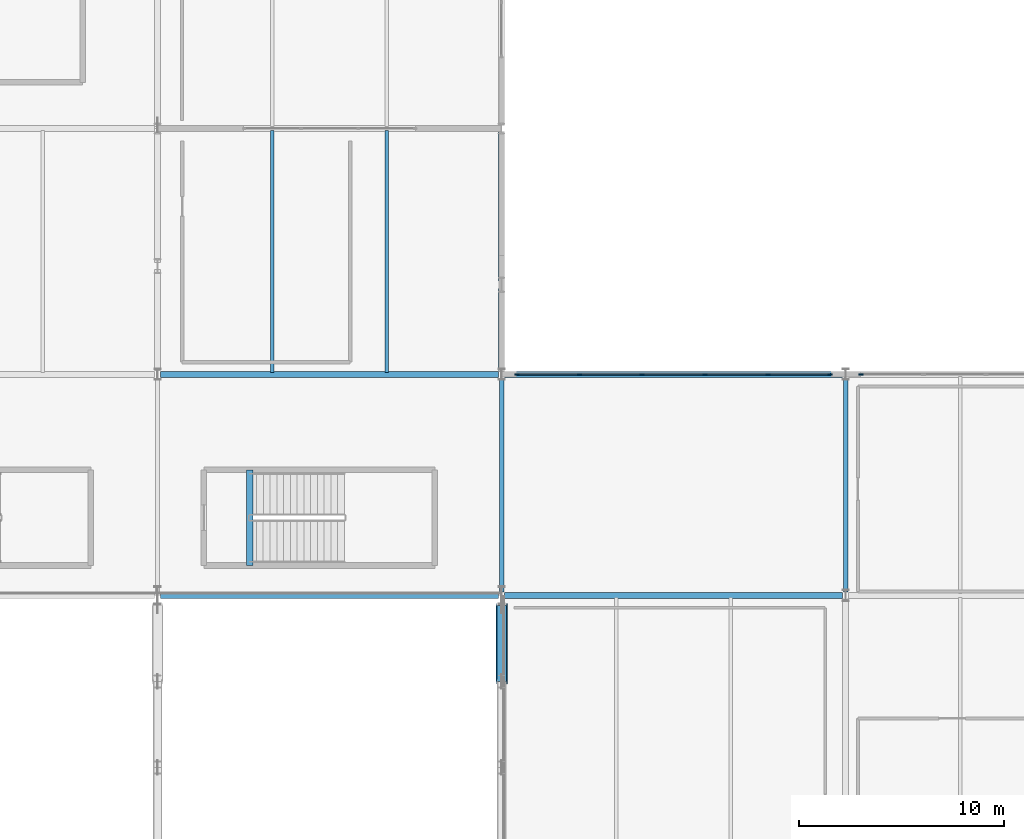
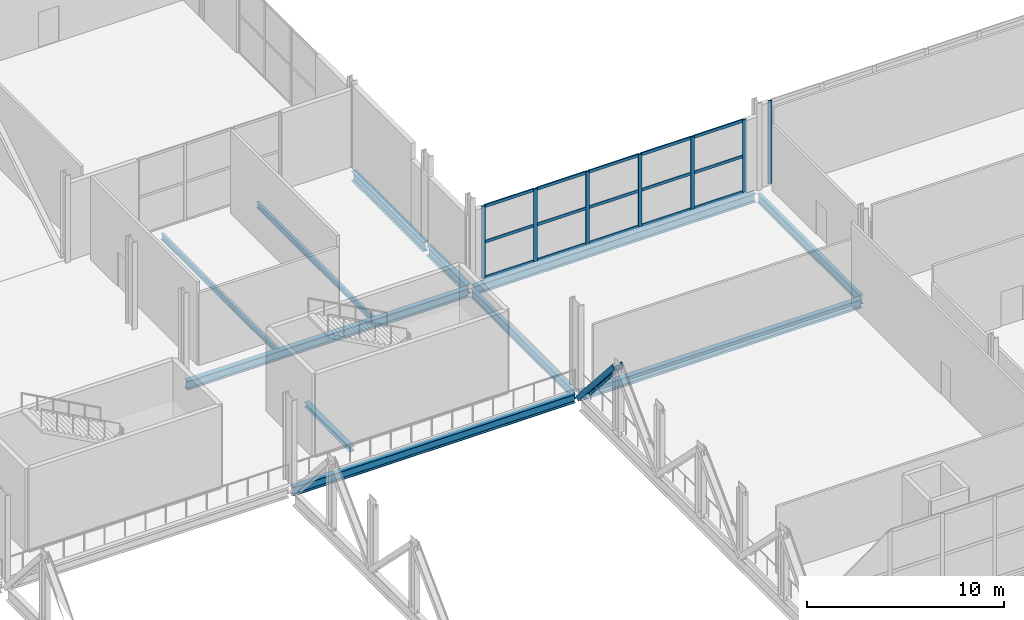
# One storey, part 45 of 84: 23 members, 11 beams, 2 elements without a shape of their own.
"""IFC4 building model written with IfcOpenShell, lengths in metres."""

from ifc_helpers import new_model, si_unit, direction, frame, origin, origin_2d, place, context, subcontext, project, spatial, rectangle, i_section, extrude, material, material_profile, profile_set, type_object, element, aggregate, save


model = new_model("IFC4")

# Units and contexts
model_context = context("Model", 3, precision=1e-05, world=origin(), true_north=direction((0.0, 1.0)))
body_context = subcontext(model_context, "Body", "Model", "MODEL_VIEW")
ifc_project = project(units=[si_unit("LENGTHUNIT", "METRE"), si_unit("AREAUNIT", "SQUARE_METRE"), si_unit("VOLUMEUNIT", "CUBIC_METRE"), si_unit("PLANEANGLEUNIT", "RADIAN"), si_unit("MASSUNIT", "GRAM", prefix="KILO")], contexts=[model_context])

# Site, building, storey
site_placement = place(None, origin())
site = spatial("IfcSite", under=ifc_project, at=site_placement, CompositionType="ELEMENT")
building_placement = place(site_placement, origin())
building = spatial("IfcBuilding", under=site, at=building_placement, Name="Kimbaza Rail Terminus", CompositionType="ELEMENT")
storey_placement = place(building_placement, frame((0.0, 0.0, 5.39990234375)))
storey = spatial("IfcBuildingStorey", under=building, at=storey_placement, Name="L01", CompositionType="ELEMENT", Elevation=5.39990234375)

# Curtain wall, members
ifc_material_1 = material(Name="Anodised aluminium framing and solar low-E glazing", Category="aluminium")
curtain_wall_type = type_object("IfcCurtainWallType", Name="ARC-CW-TH1", PredefinedType="USERDEFINED", material=ifc_material_1)
curtain_wall_1_placement = place(storey_placement, origin())
curtain_wall_1 = element("IfcCurtainWall", 1, at=curtain_wall_1_placement, inside=storey, type_object=curtain_wall_type, Name="Ticket Hall Wing E Curtain Wall L01.1", ObjectType="UNITISED CURTAIN WALL", PredefinedType="USERDEFINED")
ifc_material_2 = material(Name="Anodised architectural aluminium", Category="aluminium")
ifc_material_profile_1 = material_profile(ifc_material_2, rectangle(XDim=0.074951171875, YDim=0.219970703125, at=origin_2d()), Name="MULLION 75x220")
ifc_profile_set_1 = profile_set([ifc_material_profile_1], Name="Anodised architectural aluminium")
member_type_1 = type_object("IfcMemberType", Name="ARC-CWM-01", PredefinedType="MULLION", material=ifc_profile_set_1)
member_1_placement = place(storey_placement, frame((156.757568359375, 91.0, 0.0), z_axis=(0.0, 0.0, 1.0), x_axis=(0.0, 1.0, 0.0)))
member_1 = element("IfcMember", 2, at=member_1_placement, type_object=member_type_1, Name="CW-01 mullion 1", PredefinedType="MULLION", context=body_context, shape_type="SweptSolid", body=[
    extrude(rectangle(XDim=0.074951171875, YDim=0.219970703125, at=origin_2d()), origin(), (0.0, 0.0, 1.0), 4.485107421875),
])
member_2_placement = place(storey_placement, frame((159.7919921875, 91.0, 0.0), z_axis=(0.0, 0.0, 1.0), x_axis=(0.0, 1.0, 0.0)))
member_2 = element("IfcMember", 3, at=member_2_placement, type_object=member_type_1, Name="CW-01 mullion 2", PredefinedType="MULLION", context=body_context, shape_type="SweptSolid", body=[
    extrude(rectangle(XDim=0.074951171875, YDim=0.219970703125, at=origin_2d()), origin(), (0.0, 0.0, 1.0), 4.485107421875),
])
member_3_placement = place(storey_placement, frame((162.864013671875, 91.0, 0.0), z_axis=(0.0, 0.0, 1.0), x_axis=(0.0, 1.0, 0.0)))
member_3 = element("IfcMember", 4, at=member_3_placement, type_object=member_type_1, Name="CW-01 mullion 3", PredefinedType="MULLION", context=body_context, shape_type="SweptSolid", body=[
    extrude(rectangle(XDim=0.074951171875, YDim=0.219970703125, at=origin_2d()), origin(), (0.0, 0.0, 1.0), 4.485107421875),
])
member_4_placement = place(storey_placement, frame((165.93603515625, 91.0, 0.0), z_axis=(0.0, 0.0, 1.0), x_axis=(0.0, 1.0, 0.0)))
member_4 = element("IfcMember", 5, at=member_4_placement, type_object=member_type_1, Name="CW-01 mullion 4", PredefinedType="MULLION", context=body_context, shape_type="SweptSolid", body=[
    extrude(rectangle(XDim=0.074951171875, YDim=0.219970703125, at=origin_2d()), origin(), (0.0, 0.0, 1.0), 4.485107421875),
])
member_5_placement = place(storey_placement, frame((169.008056640625, 91.0, 0.0), z_axis=(0.0, 0.0, 1.0), x_axis=(0.0, 1.0, 0.0)))
member_5 = element("IfcMember", 6, at=member_5_placement, type_object=member_type_1, Name="CW-01 mullion 5", PredefinedType="MULLION", context=body_context, shape_type="SweptSolid", body=[
    extrude(rectangle(XDim=0.074951171875, YDim=0.219970703125, at=origin_2d()), origin(), (0.0, 0.0, 1.0), 4.485107421875),
])
member_6_placement = place(storey_placement, frame((172.04248046875, 91.0, 0.0), z_axis=(0.0, 0.0, 1.0), x_axis=(0.0, 1.0, 0.0)))
member_6 = element("IfcMember", 7, at=member_6_placement, type_object=member_type_1, Name="CW-01 mullion 6", PredefinedType="MULLION", context=body_context, shape_type="SweptSolid", body=[
    extrude(rectangle(XDim=0.074951171875, YDim=0.219970703125, at=origin_2d()), origin(), (0.0, 0.0, 1.0), 4.485107421875),
])

# Curtain wall, member
curtain_wall_2_placement = place(storey_placement, origin())
curtain_wall_2 = element("IfcCurtainWall", 8, at=curtain_wall_2_placement, inside=storey, type_object=curtain_wall_type, Name="Ticket Hall Wing E Curtain Wall L01.2", ObjectType="UNITISED CURTAIN WALL", PredefinedType="USERDEFINED")
member_7_placement = place(storey_placement, frame((173.5576171875, 91.0, 0.0), z_axis=(0.0, 0.0, 1.0), x_axis=(0.0, 1.0, 0.0)))
member_7 = element("IfcMember", 9, at=member_7_placement, type_object=member_type_1, Name="CW-01 mullion 1", PredefinedType="MULLION", context=body_context, shape_type="SweptSolid", body=[
    extrude(rectangle(XDim=0.074951171875, YDim=0.219970703125, at=origin_2d()), origin(), (0.0, 0.0, 1.0), 5.14013671875),
])
aggregate(curtain_wall_2, [member_7])

# Member
ifc_material_3 = material(Name="Anodised architectural aluminium", Category="aluminium")
ifc_material_profile_2 = material_profile(ifc_material_3, rectangle(XDim=0.074951171875, YDim=0.179931640625, at=origin_2d()), Name="TRANSOM 75x180")
ifc_profile_set_2 = profile_set([ifc_material_profile_2], Name="Anodised architectural aluminium")
member_type_2 = type_object("IfcMemberType", Name="ARC-CWT-01", PredefinedType="USERDEFINED", material=ifc_profile_set_2)
member_8_placement = place(storey_placement, frame((156.794921875, 91.0, 0.03759765625), z_axis=(1.0, 0.0, 0.0), x_axis=(0.0, 1.0, 0.0)))
member_8 = element("IfcMember", 10, at=member_8_placement, type_object=member_type_2, Name="CW-01 transom 1.1", ObjectType="TRANSOM", PredefinedType="USERDEFINED", context=body_context, shape_type="SweptSolid", body=[
    extrude(rectangle(XDim=0.074951171875, YDim=0.179931640625, at=origin_2d()), origin(), (0.0, 0.0, 1.0), 2.95947265625),
])

member_9_placement = place(storey_placement, frame((156.794921875, 91.0, 2.24267578125), z_axis=(1.0, 0.0, 0.0), x_axis=(0.0, 1.0, 0.0)))
member_9 = element("IfcMember", 11, at=member_9_placement, type_object=member_type_2, Name="CW-01 transom 1.2", ObjectType="TRANSOM", PredefinedType="USERDEFINED", context=body_context, shape_type="SweptSolid", body=[
    extrude(rectangle(XDim=0.074951171875, YDim=0.179931640625, at=origin_2d()), origin(), (0.0, 0.0, 1.0), 2.95947265625),
])

member_10_placement = place(storey_placement, frame((156.794921875, 91.0, 4.447509765625), z_axis=(1.0, 0.0, 0.0), x_axis=(0.0, 1.0, 0.0)))
member_10 = element("IfcMember", 12, at=member_10_placement, type_object=member_type_2, Name="CW-01 transom 1.3", ObjectType="TRANSOM", PredefinedType="USERDEFINED", context=body_context, shape_type="SweptSolid", body=[
    extrude(rectangle(XDim=0.074951171875, YDim=0.179931640625, at=origin_2d()), origin(), (0.0, 0.0, 1.0), 2.95947265625),
])

member_11_placement = place(storey_placement, frame((159.82958984375, 91.0, 0.03759765625), z_axis=(1.0, 0.0, 0.0), x_axis=(0.0, 1.0, 0.0)))
member_11 = element("IfcMember", 13, at=member_11_placement, type_object=member_type_2, Name="CW-01 transom 2.1", ObjectType="TRANSOM", PredefinedType="USERDEFINED", context=body_context, shape_type="SweptSolid", body=[
    extrude(rectangle(XDim=0.074951171875, YDim=0.179931640625, at=origin_2d()), origin(), (0.0, 0.0, 1.0), 2.996826171875),
])

member_12_placement = place(storey_placement, frame((159.82958984375, 91.0, 2.24267578125), z_axis=(1.0, 0.0, 0.0), x_axis=(0.0, 1.0, 0.0)))
member_12 = element("IfcMember", 14, at=member_12_placement, type_object=member_type_2, Name="CW-01 transom 2.2", ObjectType="TRANSOM", PredefinedType="USERDEFINED", context=body_context, shape_type="SweptSolid", body=[
    extrude(rectangle(XDim=0.074951171875, YDim=0.179931640625, at=origin_2d()), origin(), (0.0, 0.0, 1.0), 2.996826171875),
])

member_13_placement = place(storey_placement, frame((159.82958984375, 91.0, 4.447509765625), z_axis=(1.0, 0.0, 0.0), x_axis=(0.0, 1.0, 0.0)))
member_13 = element("IfcMember", 15, at=member_13_placement, type_object=member_type_2, Name="CW-01 transom 2.3", ObjectType="TRANSOM", PredefinedType="USERDEFINED", context=body_context, shape_type="SweptSolid", body=[
    extrude(rectangle(XDim=0.074951171875, YDim=0.179931640625, at=origin_2d()), origin(), (0.0, 0.0, 1.0), 2.996826171875),
])

member_14_placement = place(storey_placement, frame((162.901611328125, 91.0, 0.03759765625), z_axis=(1.0, 0.0, 0.0), x_axis=(0.0, 1.0, 0.0)))
member_14 = element("IfcMember", 16, at=member_14_placement, type_object=member_type_2, Name="CW-01 transom 3.1", ObjectType="TRANSOM", PredefinedType="USERDEFINED", context=body_context, shape_type="SweptSolid", body=[
    extrude(rectangle(XDim=0.074951171875, YDim=0.179931640625, at=origin_2d()), origin(), (0.0, 0.0, 1.0), 2.996826171875),
])

member_15_placement = place(storey_placement, frame((162.901611328125, 91.0, 2.24267578125), z_axis=(1.0, 0.0, 0.0), x_axis=(0.0, 1.0, 0.0)))
member_15 = element("IfcMember", 17, at=member_15_placement, type_object=member_type_2, Name="CW-01 transom 3.2", ObjectType="TRANSOM", PredefinedType="USERDEFINED", context=body_context, shape_type="SweptSolid", body=[
    extrude(rectangle(XDim=0.074951171875, YDim=0.179931640625, at=origin_2d()), origin(), (0.0, 0.0, 1.0), 2.996826171875),
])

member_16_placement = place(storey_placement, frame((162.901611328125, 91.0, 4.447509765625), z_axis=(1.0, 0.0, 0.0), x_axis=(0.0, 1.0, 0.0)))
member_16 = element("IfcMember", 18, at=member_16_placement, type_object=member_type_2, Name="CW-01 transom 3.3", ObjectType="TRANSOM", PredefinedType="USERDEFINED", context=body_context, shape_type="SweptSolid", body=[
    extrude(rectangle(XDim=0.074951171875, YDim=0.179931640625, at=origin_2d()), origin(), (0.0, 0.0, 1.0), 2.996826171875),
])

member_17_placement = place(storey_placement, frame((165.973388671875, 91.0, 0.03759765625), z_axis=(1.0, 0.0, 0.0), x_axis=(0.0, 1.0, 0.0)))
member_17 = element("IfcMember", 19, at=member_17_placement, type_object=member_type_2, Name="CW-01 transom 4.1", ObjectType="TRANSOM", PredefinedType="USERDEFINED", context=body_context, shape_type="SweptSolid", body=[
    extrude(rectangle(XDim=0.074951171875, YDim=0.179931640625, at=origin_2d()), origin(), (0.0, 0.0, 1.0), 2.9970703125),
])

member_18_placement = place(storey_placement, frame((165.973388671875, 91.0, 2.24267578125), z_axis=(1.0, 0.0, 0.0), x_axis=(0.0, 1.0, 0.0)))
member_18 = element("IfcMember", 20, at=member_18_placement, type_object=member_type_2, Name="CW-01 transom 4.2", ObjectType="TRANSOM", PredefinedType="USERDEFINED", context=body_context, shape_type="SweptSolid", body=[
    extrude(rectangle(XDim=0.074951171875, YDim=0.179931640625, at=origin_2d()), origin(), (0.0, 0.0, 1.0), 2.9970703125),
])

member_19_placement = place(storey_placement, frame((165.973388671875, 91.0, 4.447509765625), z_axis=(1.0, 0.0, 0.0), x_axis=(0.0, 1.0, 0.0)))
member_19 = element("IfcMember", 21, at=member_19_placement, type_object=member_type_2, Name="CW-01 transom 4.3", ObjectType="TRANSOM", PredefinedType="USERDEFINED", context=body_context, shape_type="SweptSolid", body=[
    extrude(rectangle(XDim=0.074951171875, YDim=0.179931640625, at=origin_2d()), origin(), (0.0, 0.0, 1.0), 2.9970703125),
])

member_20_placement = place(storey_placement, frame((169.04541015625, 91.0, 0.03759765625), z_axis=(1.0, 0.0, 0.0), x_axis=(0.0, 1.0, 0.0)))
member_20 = element("IfcMember", 22, at=member_20_placement, type_object=member_type_2, Name="CW-01 transom 5.1", ObjectType="TRANSOM", PredefinedType="USERDEFINED", context=body_context, shape_type="SweptSolid", body=[
    extrude(rectangle(XDim=0.074951171875, YDim=0.179931640625, at=origin_2d()), origin(), (0.0, 0.0, 1.0), 2.95947265625),
])

member_21_placement = place(storey_placement, frame((169.04541015625, 91.0, 2.24267578125), z_axis=(1.0, 0.0, 0.0), x_axis=(0.0, 1.0, 0.0)))
member_21 = element("IfcMember", 23, at=member_21_placement, type_object=member_type_2, Name="CW-01 transom 5.2", ObjectType="TRANSOM", PredefinedType="USERDEFINED", context=body_context, shape_type="SweptSolid", body=[
    extrude(rectangle(XDim=0.074951171875, YDim=0.179931640625, at=origin_2d()), origin(), (0.0, 0.0, 1.0), 2.95947265625),
])

member_22_placement = place(storey_placement, frame((169.04541015625, 91.0, 4.447509765625), z_axis=(1.0, 0.0, 0.0), x_axis=(0.0, 1.0, 0.0)))
member_22 = element("IfcMember", 24, at=member_22_placement, type_object=member_type_2, Name="CW-01 transom 5.3", ObjectType="TRANSOM", PredefinedType="USERDEFINED", context=body_context, shape_type="SweptSolid", body=[
    extrude(rectangle(XDim=0.074951171875, YDim=0.179931640625, at=origin_2d()), origin(), (0.0, 0.0, 1.0), 2.95947265625),
])

aggregate(curtain_wall_1, [member_1, member_2, member_3, member_4, member_5, member_6, member_8, member_9, member_10, member_11, member_12, member_13, member_14, member_15, member_16, member_17, member_18, member_19, member_20, member_21, member_22])

# Beams
ifc_material_4 = material(Name="Steel S355", Category="steel")
ifc_material_profile_3 = material_profile(ifc_material_4, i_section(OverallWidth=0.300048828125, OverallDepth=0.2900390625, WebThickness=0.008544921875, FlangeThickness=0.013916015625, FilletRadius=0.027099609375, at=origin_2d()), Name="HEA 300")
ifc_profile_set_3 = profile_set([ifc_material_profile_3], Name="Steel S355")
beam_type_1 = type_object("IfcBeamType", Name="STR-BM-HEA300", PredefinedType="SPANDREL", material=ifc_profile_set_3)
beam_1_placement = place(storey_placement, frame((143.699951171875, 81.659912109375, -0.364990234375), z_axis=(0.0, 1.0, 0.0), x_axis=(-1.0, 0.0, 0.0)))
element("IfcBeam", 25, at=beam_1_placement, inside=storey, type_object=beam_type_1, Name="Platform East Concourse Stair Landing Trimmer Beam L01", PredefinedType="SPANDREL", context=body_context, shape_type="SweptSolid", body=[
    extrude(i_section(OverallWidth=0.300048828125, OverallDepth=0.2900390625, WebThickness=0.008544921875, FlangeThickness=0.013916015625, FilletRadius=0.027099609375, at=origin_2d()), origin(), (0.0, 0.0, 1.0), 4.68017578125),
])
ifc_material_5 = material(Name="Steel S355", Category="steel")
ifc_material_profile_4 = material_profile(ifc_material_5, i_section(OverallWidth=0.300048828125, OverallDepth=0.550048828125, WebThickness=0.014892578125, FlangeThickness=0.029052734375, FilletRadius=0.027099609375, at=origin_2d()), Name="HEB 550")
ifc_profile_set_4 = profile_set([ifc_material_profile_4], Name="Steel S355")
beam_type_2 = type_object("IfcBeamType", Name="STR-BM-HEB550", PredefinedType="BEAM", material=ifc_profile_set_4)
for number, where, z_axis, x_axis, name in (
    (26, (139.345947265625, 80.199951171875, -0.494873046875), (1.0, 0.0, 0.0), (0.0, 1.0, 0.0), "Beam BM-V2X-L01-80-6"),
    (27, (156.14599609375, 80.199951171875, -0.494873046875), (1.0, 0.0, 0.0), (0.0, 1.0, 0.0), "Beam BM-V2X-L01-80-7"),
    (28, (139.345947265625, 91.0, -0.494873046875), (1.0, 0.0, 0.0), (0.0, 1.0, 0.0), "Beam BM-V2X-L01-91-6"),
    (29, (156.14599609375, 91.0, -0.494873046875), (1.0, 0.0, 0.0), (0.0, 1.0, 0.0), "Beam BM-V2X-L01-91-7"),
):
    element("IfcBeam", number, at=place(storey_placement, frame(where, z_axis=z_axis, x_axis=x_axis)), inside=storey, type_object=beam_type_2, Name=name, PredefinedType="BEAM", context=body_context, shape_type="SweptSolid", body=[
        extrude(i_section(OverallWidth=0.300048828125, OverallDepth=0.550048828125, WebThickness=0.014892578125, FlangeThickness=0.029052734375, FilletRadius=0.027099609375, at=origin_2d()), origin(), (0.0, 0.0, 1.0), 16.508056640625),
    ])
ifc_material_6 = material(Name="Steel S355", Category="steel")
ifc_material_profile_5 = material_profile(ifc_material_6, i_section(OverallWidth=0.300048828125, OverallDepth=0.60009765625, WebThickness=0.015380859375, FlangeThickness=0.030029296875, FilletRadius=0.027099609375, at=origin_2d()), Name="HEB 600")
ifc_profile_set_5 = profile_set([ifc_material_profile_5], Name="Steel S355")
beam_type_3 = type_object("IfcBeamType", Name="STR-BM-HEB600", PredefinedType="BEAM", material=ifc_profile_set_5)
beam_2_placement = place(storey_placement, frame((156.0, 91.175048828125, -0.52001953125), z_axis=(0.0, 1.0, 0.0), x_axis=(-1.0, 0.0, 0.0)))
element("IfcBeam", 30, at=beam_2_placement, inside=storey, type_object=beam_type_3, Name="Beam BM-VSPN-L01-8", PredefinedType="BEAM", context=body_context, shape_type="SweptSolid", body=[
    extrude(i_section(OverallWidth=0.300048828125, OverallDepth=0.60009765625, WebThickness=0.015380859375, FlangeThickness=0.030029296875, FilletRadius=0.027099609375, at=origin_2d()), origin(), (0.0, 0.0, 1.0), 4.025634765625),
])
beam_3_placement = place(storey_placement, frame((156.0, 95.55078125, -0.52001953125), z_axis=(0.0, 1.0, 0.0), x_axis=(-1.0, 0.0, 0.0)))
element("IfcBeam", 31, at=beam_3_placement, inside=storey, type_object=beam_type_3, Name="Beam BM-VSPN2-L01-8", PredefinedType="BEAM", context=body_context, shape_type="SweptSolid", body=[
    extrude(i_section(OverallWidth=0.300048828125, OverallDepth=0.60009765625, WebThickness=0.015380859375, FlangeThickness=0.030029296875, FilletRadius=0.027099609375, at=origin_2d()), origin(), (0.0, 0.0, 1.0), 7.274169921875),
])
ifc_material_7 = material(Name="Steel S355", Category="steel")
ifc_material_profile_6 = material_profile(ifc_material_7, i_section(OverallWidth=0.169921875, OverallDepth=0.360107421875, WebThickness=0.008056640625, FlangeThickness=0.0126953125, FilletRadius=0.01806640625, at=origin_2d()), Name="IPE 360")
ifc_profile_set_6 = profile_set([ifc_material_profile_6], Name="Steel S355")
beam_type_4 = type_object("IfcBeamType", Name="STR-BM-IPE360", PredefinedType="JOIST", material=ifc_profile_set_6)
for number, where, z_axis, x_axis, name in (
    (32, (144.800048828125, 91.10009765625, -0.39990234375), (0.0, 1.0, 0.0), (-1.0, 0.0, 0.0), "Beam JST-V2-L01-5-1-91"),
    (33, (150.39990234375, 91.10009765625, -0.39990234375), (0.0, 1.0, 0.0), (-1.0, 0.0, 0.0), "Beam JST-V2-L01-5-2-91"),
):
    element("IfcBeam", number, at=place(storey_placement, frame(where, z_axis=z_axis, x_axis=x_axis)), inside=storey, type_object=beam_type_4, Name=name, PredefinedType="JOIST", context=body_context, shape_type="SweptSolid", body=[
        extrude(i_section(OverallWidth=0.169921875, OverallDepth=0.360107421875, WebThickness=0.008056640625, FlangeThickness=0.0126953125, FilletRadius=0.01806640625, at=origin_2d()), origin(), (0.0, 0.0, 1.0), 11.7998046875),
    ])
ifc_material_8 = material(Name="Steel S355", Category="steel")
ifc_material_profile_7 = material_profile(ifc_material_8, i_section(OverallWidth=0.2099609375, OverallDepth=0.550048828125, WebThickness=0.010986328125, FlangeThickness=0.01708984375, FilletRadius=0.02392578125, at=origin_2d()), Name="IPE 550")
ifc_profile_set_7 = profile_set([ifc_material_profile_7], Name="Steel S355")
beam_type_5 = type_object("IfcBeamType", Name="STR-BM-IPE550", PredefinedType="BEAM", material=ifc_profile_set_7)
for number, where, z_axis, x_axis, name in (
    (34, (156.0, 80.375, -0.494873046875), (0.0, 1.0, 0.0), (-1.0, 0.0, 0.0), "Beam BM-V2Y-L01-6-80"),
    (35, (172.800048828125, 80.375, -0.494873046875), (0.0, 1.0, 0.0), (-1.0, 0.0, 0.0), "Beam BM-V2Y-L01-7-80"),
):
    element("IfcBeam", number, at=place(storey_placement, frame(where, z_axis=z_axis, x_axis=x_axis)), inside=storey, type_object=beam_type_5, Name=name, PredefinedType="BEAM", context=body_context, shape_type="SweptSolid", body=[
        extrude(i_section(OverallWidth=0.2099609375, OverallDepth=0.550048828125, WebThickness=0.010986328125, FlangeThickness=0.01708984375, FilletRadius=0.02392578125, at=origin_2d()), origin(), (0.0, 0.0, 1.0), 10.449951171875),
    ])

# Member
ifc_material_9 = material(Name="Steel S355", Category="steel")
ifc_material_profile_8 = material_profile(ifc_material_9, i_section(OverallWidth=0.300048828125, OverallDepth=0.550048828125, WebThickness=0.014892578125, FlangeThickness=0.029052734375, FilletRadius=0.027099609375, at=origin_2d()), Name="HEB 550")
ifc_profile_set_8 = profile_set([ifc_material_profile_8], Name="Steel S355")
member_type_3 = type_object("IfcMemberType", Name="STR-MB-HEB550", PredefinedType="BRACE", material=ifc_profile_set_8)
member_23_placement = place(storey_placement, frame((156.0, 76.0, 3.955078125), z_axis=(0.0, 0.660856906539, -0.750511924675), x_axis=(0.0, 0.750511924675, 0.660856906539)))
element("IfcMember", 36, at=member_23_placement, inside=storey, type_object=member_type_3, Name="Warren Transfer Truss Diagonal WT-06-6", PredefinedType="BRACE", context=body_context, shape_type="SweptSolid", body=[
    extrude(i_section(OverallWidth=0.300048828125, OverallDepth=0.550048828125, WebThickness=0.014892578125, FlangeThickness=0.029052734375, FilletRadius=0.027099609375, at=origin_2d()), origin(), (0.0, 0.0, 1.0), 5.5986328125),
])

save(model, "model.ifc")
